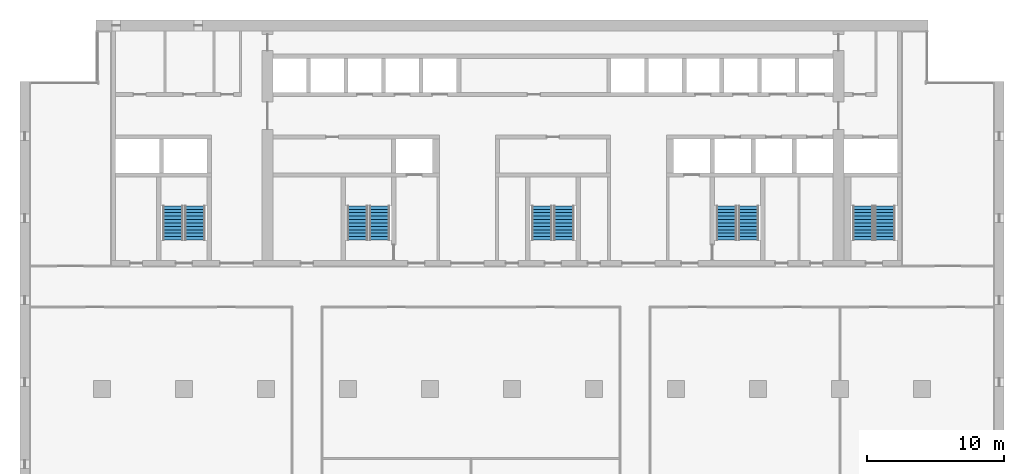
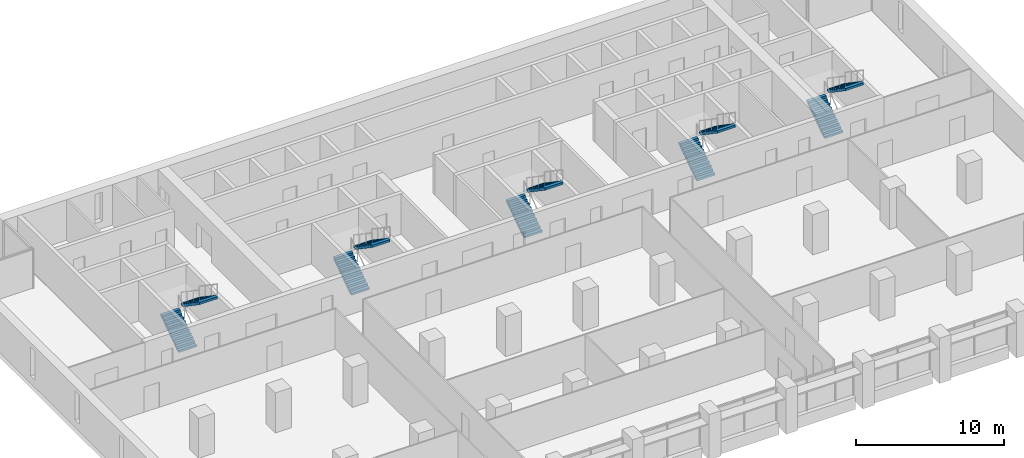
# One storey, part 12 of 15: 10 stair flights, 5 elements without a shape of their own.
"""IFC4 building model written with IfcOpenShell, lengths in metres."""

from ifc_helpers import new_model, si_unit, direction, frame, origin, place, context, subcontext, project, spatial, polyline, outline, extrude, material, type_object, element, aggregate, save


model = new_model("IFC4")

# Units and contexts
model_context = context("Model", 3, precision=1e-05, world=origin(), true_north=direction((0.0, 1.0)))
body_context = subcontext(model_context, "Body", "Model", "MODEL_VIEW")
ifc_project = project(units=[si_unit("LENGTHUNIT", "METRE"), si_unit("AREAUNIT", "SQUARE_METRE"), si_unit("VOLUMEUNIT", "CUBIC_METRE"), si_unit("PLANEANGLEUNIT", "RADIAN"), si_unit("MASSUNIT", "GRAM", prefix="KILO")], contexts=[model_context])

# Site, building, storey
site_placement = place(None, origin())
site = spatial("IfcSite", under=ifc_project, at=site_placement, CompositionType="ELEMENT")
building_placement = place(site_placement, origin())
building = spatial("IfcBuilding", under=site, at=building_placement, Name="Calvaro Tower", CompositionType="ELEMENT")
storey_placement = place(building_placement, frame((0.0, 0.0, 143.75)))
storey = spatial("IfcBuildingStorey", under=building, at=storey_placement, Name="L36", CompositionType="ELEMENT", Elevation=143.75)

# Stair, stair flights
ifc_material_1 = material(Name="Concrete C40/50", Category="concrete")
stair_type = type_object("IfcStairType", Name="Exit stair 1400 2 flights", PredefinedType="HALF_TURN_STAIR", material=ifc_material_1)
stair_1_placement = place(storey_placement, origin())
stair_1 = element("IfcStair", 1, at=stair_1_placement, inside=storey, type_object=stair_type, Name="Exit stair S1", PredefinedType="HALF_TURN_STAIR")
ifc_material_2 = material(Name="Concrete C40/50", Category="concrete")
stair_flight_type = type_object("IfcStairFlightType", Name="Stair flight", PredefinedType="STRAIGHT", material=ifc_material_2)
stair_flight_1_placement = place(storey_placement, frame((11.199951171875, 29.89990234375, 0.0), z_axis=(0.0, 0.0, 1.0), x_axis=(0.0, 1.0, 0.0)))
stair_flight_1 = element("IfcStairFlight", 2, at=stair_flight_1_placement, type_object=stair_flight_type, Name="Exit stair 1, flight 1", NumberOfRisers=11, NumberOfTreads=10, PredefinedType="STRAIGHT", RiserHeight=0.170454545, TreadLength=0.25, context=body_context, shape_type="SweptSolid", body=[
    extrude(outline(polyline([(0.0, 0.0), (0.0, 0.17041015625), (0.25, 0.17041015625), (0.25, 0.3408203125), (0.5, 0.3408203125), (0.5, 0.511474609375), (0.75, 0.511474609375), (0.75, 0.681884765625), (1.0, 0.681884765625), (1.0, 0.852294921875), (1.25, 0.852294921875), (1.25, 1.022705078125), (1.5, 1.022705078125), (1.5, 1.193115234375), (1.75, 1.193115234375), (1.75, 1.363525390625), (2.0, 1.363525390625), (2.0, 1.5341796875), (2.25, 1.5341796875), (2.25, 1.70458984375), (2.5, 1.70458984375), (2.5, 1.875), (2.5, 1.523193359375), (0.26611328125, 0.0), (0.0, 0.0)])), frame((0.0, 0.699951171875, 0.0), z_axis=(0.0, -1.0, 0.0), x_axis=(1.0, 0.0, 0.0)), (0.0, 0.0, 1.0), 1.39990234375),
])
stair_flight_2_placement = place(storey_placement, frame((12.800048828125, 32.39990234375, 1.875), z_axis=(0.0, 0.0, 1.0), x_axis=(0.0, -1.0, 0.0)))
stair_flight_2 = element("IfcStairFlight", 3, at=stair_flight_2_placement, type_object=stair_flight_type, Name="Exit stair 1, flight 2", NumberOfRisers=11, NumberOfTreads=10, PredefinedType="STRAIGHT", RiserHeight=0.170454545, TreadLength=0.25, context=body_context, shape_type="SweptSolid", body=[
    extrude(outline(polyline([(0.0, 0.0), (0.0, 0.17041015625), (0.25, 0.17041015625), (0.25, 0.3408203125), (0.5, 0.3408203125), (0.5, 0.511474609375), (0.75, 0.511474609375), (0.75, 0.681884765625), (1.0, 0.681884765625), (1.0, 0.852294921875), (1.25, 0.852294921875), (1.25, 1.022705078125), (1.5, 1.022705078125), (1.5, 1.193115234375), (1.75, 1.193115234375), (1.75, 1.363525390625), (2.0, 1.363525390625), (2.0, 1.5341796875), (2.25, 1.5341796875), (2.25, 1.70458984375), (2.5, 1.70458984375), (2.5, 1.875), (2.5, 1.523193359375), (0.26611328125, 0.0), (0.0, 0.0)])), frame((0.0, 0.699951171875, 0.0), z_axis=(0.0, -1.0, 0.0), x_axis=(1.0, 0.0, 0.0)), (0.0, 0.0, 1.0), 1.39990234375),
])
aggregate(stair_1, [stair_flight_1, stair_flight_2])

stair_2_placement = place(storey_placement, origin())
stair_2 = element("IfcStair", 4, at=stair_2_placement, inside=storey, type_object=stair_type, Name="Exit stair S2", PredefinedType="HALF_TURN_STAIR")
stair_flight_3_placement = place(storey_placement, frame((24.699951171875, 29.89990234375, 0.0), z_axis=(0.0, 0.0, 1.0), x_axis=(0.0, 1.0, 0.0)))
stair_flight_3 = element("IfcStairFlight", 5, at=stair_flight_3_placement, type_object=stair_flight_type, Name="Exit stair 2, flight 1", NumberOfRisers=11, NumberOfTreads=10, PredefinedType="STRAIGHT", RiserHeight=0.170454545, TreadLength=0.25, context=body_context, shape_type="SweptSolid", body=[
    extrude(outline(polyline([(0.0, 0.0), (0.0, 0.17041015625), (0.25, 0.17041015625), (0.25, 0.3408203125), (0.5, 0.3408203125), (0.5, 0.511474609375), (0.75, 0.511474609375), (0.75, 0.681884765625), (1.0, 0.681884765625), (1.0, 0.852294921875), (1.25, 0.852294921875), (1.25, 1.022705078125), (1.5, 1.022705078125), (1.5, 1.193115234375), (1.75, 1.193115234375), (1.75, 1.363525390625), (2.0, 1.363525390625), (2.0, 1.5341796875), (2.25, 1.5341796875), (2.25, 1.70458984375), (2.5, 1.70458984375), (2.5, 1.875), (2.5, 1.523193359375), (0.26611328125, 0.0), (0.0, 0.0)])), frame((0.0, 0.699951171875, 0.0), z_axis=(0.0, -1.0, 0.0), x_axis=(1.0, 0.0, 0.0)), (0.0, 0.0, 1.0), 1.39990234375),
])
stair_flight_4_placement = place(storey_placement, frame((26.300048828125, 32.39990234375, 1.875), z_axis=(0.0, 0.0, 1.0), x_axis=(0.0, -1.0, 0.0)))
stair_flight_4 = element("IfcStairFlight", 6, at=stair_flight_4_placement, type_object=stair_flight_type, Name="Exit stair 2, flight 2", NumberOfRisers=11, NumberOfTreads=10, PredefinedType="STRAIGHT", RiserHeight=0.170454545, TreadLength=0.25, context=body_context, shape_type="SweptSolid", body=[
    extrude(outline(polyline([(0.0, 0.0), (0.0, 0.17041015625), (0.25, 0.17041015625), (0.25, 0.3408203125), (0.5, 0.3408203125), (0.5, 0.511474609375), (0.75, 0.511474609375), (0.75, 0.681884765625), (1.0, 0.681884765625), (1.0, 0.852294921875), (1.25, 0.852294921875), (1.25, 1.022705078125), (1.5, 1.022705078125), (1.5, 1.193115234375), (1.75, 1.193115234375), (1.75, 1.363525390625), (2.0, 1.363525390625), (2.0, 1.5341796875), (2.25, 1.5341796875), (2.25, 1.70458984375), (2.5, 1.70458984375), (2.5, 1.875), (2.5, 1.523193359375), (0.26611328125, 0.0), (0.0, 0.0)])), frame((0.0, 0.699951171875, 0.0), z_axis=(0.0, -1.0, 0.0), x_axis=(1.0, 0.0, 0.0)), (0.0, 0.0, 1.0), 1.39990234375),
])
aggregate(stair_2, [stair_flight_3, stair_flight_4])

stair_3_placement = place(storey_placement, origin())
stair_3 = element("IfcStair", 7, at=stair_3_placement, inside=storey, type_object=stair_type, Name="Exit stair S3", PredefinedType="HALF_TURN_STAIR")
stair_flight_5_placement = place(storey_placement, frame((38.199951171875, 29.89990234375, 0.0), z_axis=(0.0, 0.0, 1.0), x_axis=(0.0, 1.0, 0.0)))
stair_flight_5 = element("IfcStairFlight", 8, at=stair_flight_5_placement, type_object=stair_flight_type, Name="Exit stair 3, flight 1", NumberOfRisers=11, NumberOfTreads=10, PredefinedType="STRAIGHT", RiserHeight=0.170454545, TreadLength=0.25, context=body_context, shape_type="SweptSolid", body=[
    extrude(outline(polyline([(0.0, 0.0), (0.0, 0.17041015625), (0.25, 0.17041015625), (0.25, 0.3408203125), (0.5, 0.3408203125), (0.5, 0.511474609375), (0.75, 0.511474609375), (0.75, 0.681884765625), (1.0, 0.681884765625), (1.0, 0.852294921875), (1.25, 0.852294921875), (1.25, 1.022705078125), (1.5, 1.022705078125), (1.5, 1.193115234375), (1.75, 1.193115234375), (1.75, 1.363525390625), (2.0, 1.363525390625), (2.0, 1.5341796875), (2.25, 1.5341796875), (2.25, 1.70458984375), (2.5, 1.70458984375), (2.5, 1.875), (2.5, 1.523193359375), (0.26611328125, 0.0), (0.0, 0.0)])), frame((0.0, 0.699951171875, 0.0), z_axis=(0.0, -1.0, 0.0), x_axis=(1.0, 0.0, 0.0)), (0.0, 0.0, 1.0), 1.39990234375),
])
stair_flight_6_placement = place(storey_placement, frame((39.800048828125, 32.39990234375, 1.875), z_axis=(0.0, 0.0, 1.0), x_axis=(0.0, -1.0, 0.0)))
stair_flight_6 = element("IfcStairFlight", 9, at=stair_flight_6_placement, type_object=stair_flight_type, Name="Exit stair 3, flight 2", NumberOfRisers=11, NumberOfTreads=10, PredefinedType="STRAIGHT", RiserHeight=0.170454545, TreadLength=0.25, context=body_context, shape_type="SweptSolid", body=[
    extrude(outline(polyline([(0.0, 0.0), (0.0, 0.17041015625), (0.25, 0.17041015625), (0.25, 0.3408203125), (0.5, 0.3408203125), (0.5, 0.511474609375), (0.75, 0.511474609375), (0.75, 0.681884765625), (1.0, 0.681884765625), (1.0, 0.852294921875), (1.25, 0.852294921875), (1.25, 1.022705078125), (1.5, 1.022705078125), (1.5, 1.193115234375), (1.75, 1.193115234375), (1.75, 1.363525390625), (2.0, 1.363525390625), (2.0, 1.5341796875), (2.25, 1.5341796875), (2.25, 1.70458984375), (2.5, 1.70458984375), (2.5, 1.875), (2.5, 1.523193359375), (0.26611328125, 0.0), (0.0, 0.0)])), frame((0.0, 0.699951171875, 0.0), z_axis=(0.0, -1.0, 0.0), x_axis=(1.0, 0.0, 0.0)), (0.0, 0.0, 1.0), 1.39990234375),
])
aggregate(stair_3, [stair_flight_5, stair_flight_6])

stair_4_placement = place(storey_placement, origin())
stair_4 = element("IfcStair", 10, at=stair_4_placement, inside=storey, type_object=stair_type, Name="Exit stair S4", PredefinedType="HALF_TURN_STAIR")
stair_flight_7_placement = place(storey_placement, frame((51.699951171875, 29.89990234375, 0.0), z_axis=(0.0, 0.0, 1.0), x_axis=(0.0, 1.0, 0.0)))
stair_flight_7 = element("IfcStairFlight", 11, at=stair_flight_7_placement, type_object=stair_flight_type, Name="Exit stair 4, flight 1", NumberOfRisers=11, NumberOfTreads=10, PredefinedType="STRAIGHT", RiserHeight=0.170454545, TreadLength=0.25, context=body_context, shape_type="SweptSolid", body=[
    extrude(outline(polyline([(0.0, 0.0), (0.0, 0.17041015625), (0.25, 0.17041015625), (0.25, 0.3408203125), (0.5, 0.3408203125), (0.5, 0.511474609375), (0.75, 0.511474609375), (0.75, 0.681884765625), (1.0, 0.681884765625), (1.0, 0.852294921875), (1.25, 0.852294921875), (1.25, 1.022705078125), (1.5, 1.022705078125), (1.5, 1.193115234375), (1.75, 1.193115234375), (1.75, 1.363525390625), (2.0, 1.363525390625), (2.0, 1.5341796875), (2.25, 1.5341796875), (2.25, 1.70458984375), (2.5, 1.70458984375), (2.5, 1.875), (2.5, 1.523193359375), (0.26611328125, 0.0), (0.0, 0.0)])), frame((0.0, 0.699951171875, 0.0), z_axis=(0.0, -1.0, 0.0), x_axis=(1.0, 0.0, 0.0)), (0.0, 0.0, 1.0), 1.39990234375),
])
stair_flight_8_placement = place(storey_placement, frame((53.300048828125, 32.39990234375, 1.875), z_axis=(0.0, 0.0, 1.0), x_axis=(0.0, -1.0, 0.0)))
stair_flight_8 = element("IfcStairFlight", 12, at=stair_flight_8_placement, type_object=stair_flight_type, Name="Exit stair 4, flight 2", NumberOfRisers=11, NumberOfTreads=10, PredefinedType="STRAIGHT", RiserHeight=0.170454545, TreadLength=0.25, context=body_context, shape_type="SweptSolid", body=[
    extrude(outline(polyline([(0.0, 0.0), (0.0, 0.17041015625), (0.25, 0.17041015625), (0.25, 0.3408203125), (0.5, 0.3408203125), (0.5, 0.511474609375), (0.75, 0.511474609375), (0.75, 0.681884765625), (1.0, 0.681884765625), (1.0, 0.852294921875), (1.25, 0.852294921875), (1.25, 1.022705078125), (1.5, 1.022705078125), (1.5, 1.193115234375), (1.75, 1.193115234375), (1.75, 1.363525390625), (2.0, 1.363525390625), (2.0, 1.5341796875), (2.25, 1.5341796875), (2.25, 1.70458984375), (2.5, 1.70458984375), (2.5, 1.875), (2.5, 1.523193359375), (0.26611328125, 0.0), (0.0, 0.0)])), frame((0.0, 0.699951171875, 0.0), z_axis=(0.0, -1.0, 0.0), x_axis=(1.0, 0.0, 0.0)), (0.0, 0.0, 1.0), 1.39990234375),
])
aggregate(stair_4, [stair_flight_7, stair_flight_8])

stair_5_placement = place(storey_placement, origin())
stair_5 = element("IfcStair", 13, at=stair_5_placement, inside=storey, type_object=stair_type, Name="Exit stair S5", PredefinedType="HALF_TURN_STAIR")
stair_flight_9_placement = place(storey_placement, frame((61.699951171875, 29.89990234375, 0.0), z_axis=(0.0, 0.0, 1.0), x_axis=(0.0, 1.0, 0.0)))
stair_flight_9 = element("IfcStairFlight", 14, at=stair_flight_9_placement, type_object=stair_flight_type, Name="Exit stair 5, flight 1", NumberOfRisers=11, NumberOfTreads=10, PredefinedType="STRAIGHT", RiserHeight=0.170454545, TreadLength=0.25, context=body_context, shape_type="SweptSolid", body=[
    extrude(outline(polyline([(0.0, 0.0), (0.0, 0.17041015625), (0.25, 0.17041015625), (0.25, 0.3408203125), (0.5, 0.3408203125), (0.5, 0.511474609375), (0.75, 0.511474609375), (0.75, 0.681884765625), (1.0, 0.681884765625), (1.0, 0.852294921875), (1.25, 0.852294921875), (1.25, 1.022705078125), (1.5, 1.022705078125), (1.5, 1.193115234375), (1.75, 1.193115234375), (1.75, 1.363525390625), (2.0, 1.363525390625), (2.0, 1.5341796875), (2.25, 1.5341796875), (2.25, 1.70458984375), (2.5, 1.70458984375), (2.5, 1.875), (2.5, 1.523193359375), (0.26611328125, 0.0), (0.0, 0.0)])), frame((0.0, 0.699951171875, 0.0), z_axis=(0.0, -1.0, 0.0), x_axis=(1.0, 0.0, 0.0)), (0.0, 0.0, 1.0), 1.39990234375),
])
stair_flight_10_placement = place(storey_placement, frame((63.300048828125, 32.39990234375, 1.875), z_axis=(0.0, 0.0, 1.0), x_axis=(0.0, -1.0, 0.0)))
stair_flight_10 = element("IfcStairFlight", 15, at=stair_flight_10_placement, type_object=stair_flight_type, Name="Exit stair 5, flight 2", NumberOfRisers=11, NumberOfTreads=10, PredefinedType="STRAIGHT", RiserHeight=0.170454545, TreadLength=0.25, context=body_context, shape_type="SweptSolid", body=[
    extrude(outline(polyline([(0.0, 0.0), (0.0, 0.17041015625), (0.25, 0.17041015625), (0.25, 0.3408203125), (0.5, 0.3408203125), (0.5, 0.511474609375), (0.75, 0.511474609375), (0.75, 0.681884765625), (1.0, 0.681884765625), (1.0, 0.852294921875), (1.25, 0.852294921875), (1.25, 1.022705078125), (1.5, 1.022705078125), (1.5, 1.193115234375), (1.75, 1.193115234375), (1.75, 1.363525390625), (2.0, 1.363525390625), (2.0, 1.5341796875), (2.25, 1.5341796875), (2.25, 1.70458984375), (2.5, 1.70458984375), (2.5, 1.875), (2.5, 1.523193359375), (0.26611328125, 0.0), (0.0, 0.0)])), frame((0.0, 0.699951171875, 0.0), z_axis=(0.0, -1.0, 0.0), x_axis=(1.0, 0.0, 0.0)), (0.0, 0.0, 1.0), 1.39990234375),
])
aggregate(stair_5, [stair_flight_9, stair_flight_10])

save(model, "model.ifc")
